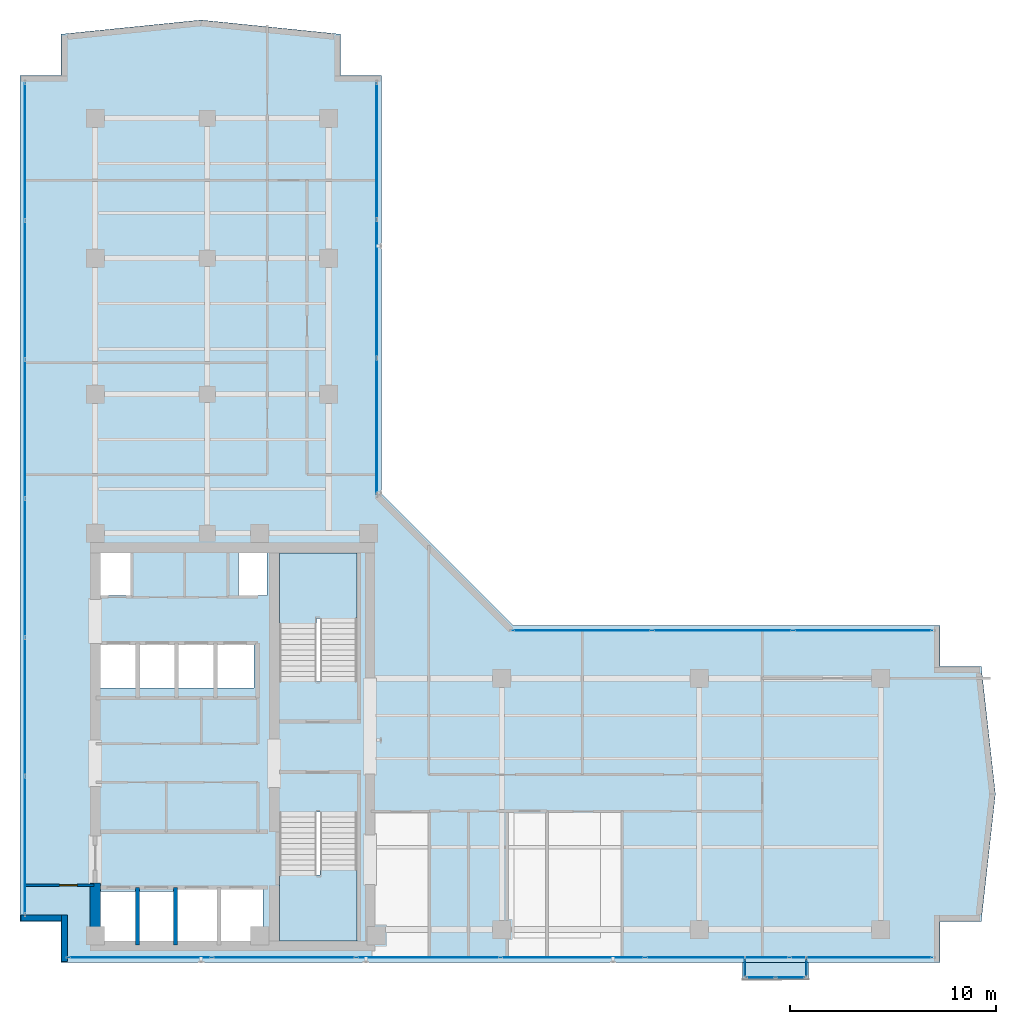
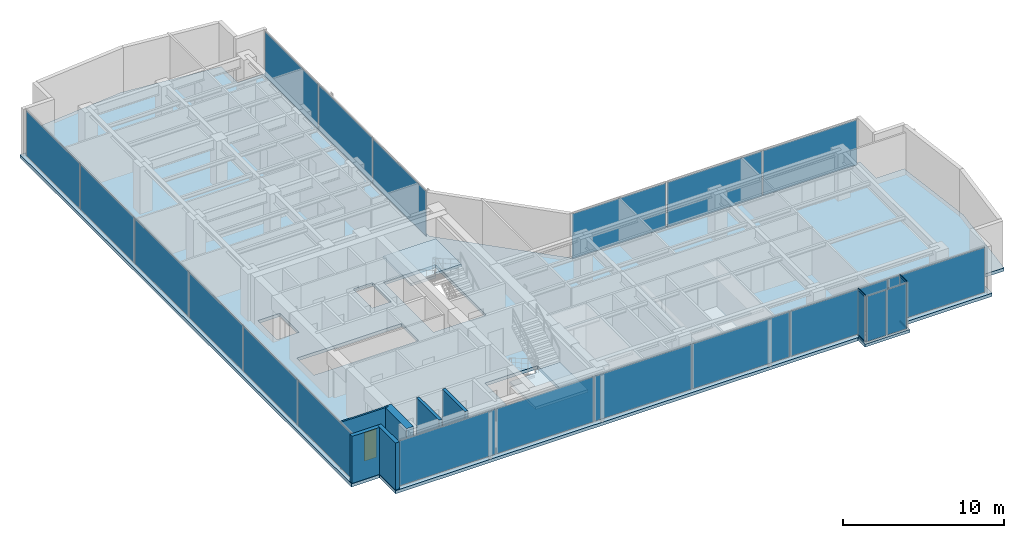
# One storey, part 15 of 22: 22 plates, 6 walls, 4 members, 4 slabs, 1 door, 1 opening, 9 elements without a shape of their own.
"""IFC4 building model written with IfcOpenShell, lengths in metres."""

from ifc_helpers import new_model, si_unit, direction, frame, frame_2d, origin, origin_with_axes, origin_2d, place, context, subcontext, project, spatial, polyline, rectangle, hollow_rectangle, outline, extrude, source, transform, mapped, material, layer, layer_set, material_profile, profile_set, type_object, element, fill, aggregate, save


model = new_model("IFC4")

# Units and contexts
model_context = context("Model", 3, precision=1e-05, world=origin(), true_north=direction((0.0, 1.0)))
body_context = subcontext(model_context, "Body", "Model", "MODEL_VIEW")
ifc_project = project(units=[si_unit("LENGTHUNIT", "METRE"), si_unit("AREAUNIT", "SQUARE_METRE"), si_unit("VOLUMEUNIT", "CUBIC_METRE"), si_unit("PLANEANGLEUNIT", "RADIAN"), si_unit("MASSUNIT", "GRAM", prefix="KILO")], contexts=[model_context])

# Site, building, storey
site_placement = place(None, origin())
site = spatial("IfcSite", under=ifc_project, at=site_placement, CompositionType="ELEMENT")
building_placement = place(site_placement, origin())
building = spatial("IfcBuilding", under=site, at=building_placement, Name="Kolvaren Waterfront Exchange", CompositionType="ELEMENT")
storey_placement = place(building_placement, frame((0.0, 0.0, 274.199951171875)))
storey = spatial("IfcBuildingStorey", under=building, at=storey_placement, Name="L70", CompositionType="ELEMENT", Elevation=274.199951171875)

# Curtain wall, members
ifc_material_1 = material(Name="Anodised bronze aluminium 6063-T6", Category="aluminium")
ifc_layer_1 = layer(ifc_material_1, 0.219970703125, Name="Anodised bronze aluminium 6063-T6")
ifc_layer_set_1 = layer_set([ifc_layer_1], Name="Anodised bronze aluminium 6063-T6")
curtain_wall_type_1 = type_object("IfcCurtainWallType", Name="ARC-CW-SYS3", PredefinedType="USERDEFINED", material=ifc_layer_set_1)
curtain_wall_1_placement = place(storey_placement, origin())
curtain_wall_1 = element("IfcCurtainWall", 1, at=curtain_wall_1_placement, inside=storey, type_object=curtain_wall_type_1, Name="L70 stick curtain wall CW3 (CW-L70-BOX-W)", ObjectType="STICK CURTAIN WALL", PredefinedType="USERDEFINED")
ifc_material_profile = material_profile(ifc_material_1, hollow_rectangle(XDim=0.06494140625, YDim=0.1298828125, WallThickness=0.00390625, at=origin_2d()), Name="ALU-TRN-130x65x4")
ifc_profile_set = profile_set([ifc_material_profile], Name="Anodised bronze aluminium 6063-T6")
member_type = type_object("IfcMemberType", Name="ARC-CWT-130", PredefinedType="USERDEFINED", material=ifc_profile_set)
shared_shape_1 = source(origin_with_axes(), body_context, "Body", "SweptSolid", [
    extrude(hollow_rectangle(XDim=0.06494140625, YDim=0.1298828125, WallThickness=0.00390625, at=origin_2d()), origin(), (0.0, 0.0, 1.0), 0.829833984375),
])
member_1_placement = place(storey_placement, frame((39.010009765625, 3.764892578125, 0.032470703125), z_axis=(0.0, -1.0, 0.0), x_axis=(1.0, 0.0, 0.0)))
member_1 = element("IfcMember", 2, at=member_1_placement, type_object=member_type, Name="CW3 transom 1.1", ObjectType="TRANSOM", PredefinedType="USERDEFINED", context=body_context, shape_type="MappedRepresentation", body=[
    mapped(shared_shape_1, transform((0.0, 0.0, 0.0), x_axis=(1.0, 0.0, 0.0), y_axis=(0.0, 1.0, 0.0), z_axis=(0.0, 0.0, 1.0), scale=1.0)),
])
member_2_placement = place(storey_placement, frame((39.010009765625, 3.764892578125, 3.527587890625), z_axis=(0.0, -1.0, 0.0), x_axis=(1.0, 0.0, 0.0)))
member_2 = element("IfcMember", 3, at=member_2_placement, type_object=member_type, Name="CW3 transom 1.2", ObjectType="TRANSOM", PredefinedType="USERDEFINED", context=body_context, shape_type="MappedRepresentation", body=[
    mapped(shared_shape_1, transform((0.0, 0.0, 0.0), x_axis=(1.0, 0.0, 0.0), y_axis=(0.0, 1.0, 0.0), z_axis=(0.0, 0.0, 1.0), scale=1.0)),
])

curtain_wall_2_placement = place(storey_placement, origin())
curtain_wall_2 = element("IfcCurtainWall", 4, at=curtain_wall_2_placement, inside=storey, type_object=curtain_wall_type_1, Name="L70 stick curtain wall CW3 (CW-L70-BOX-E)", ObjectType="STICK CURTAIN WALL", PredefinedType="USERDEFINED")
member_3_placement = place(storey_placement, frame((41.989990234375, 2.93505859375, 0.032470703125), z_axis=(0.0, 1.0, 0.0), x_axis=(-1.0, 0.0, 0.0)))
member_3 = element("IfcMember", 5, at=member_3_placement, type_object=member_type, Name="CW3 transom 1.1", ObjectType="TRANSOM", PredefinedType="USERDEFINED", context=body_context, shape_type="MappedRepresentation", body=[
    mapped(shared_shape_1, transform((0.0, 0.0, 0.0), x_axis=(1.0, 0.0, 0.0), y_axis=(0.0, 1.0, 0.0), z_axis=(0.0, 0.0, 1.0), scale=1.0)),
])
member_4_placement = place(storey_placement, frame((41.989990234375, 2.93505859375, 3.527587890625), z_axis=(0.0, 1.0, 0.0), x_axis=(-1.0, 0.0, 0.0)))
member_4 = element("IfcMember", 6, at=member_4_placement, type_object=member_type, Name="CW3 transom 1.2", ObjectType="TRANSOM", PredefinedType="USERDEFINED", context=body_context, shape_type="MappedRepresentation", body=[
    mapped(shared_shape_1, transform((0.0, 0.0, 0.0), x_axis=(1.0, 0.0, 0.0), y_axis=(0.0, 1.0, 0.0), z_axis=(0.0, 0.0, 1.0), scale=1.0)),
])

# Stair, slab
ifc_material_2 = material(Name="Concrete C40/50", Category="concrete")
stair_type = type_object("IfcStairType", Name="ARC-STAIR-3800", PredefinedType="HALF_TURN_STAIR", material=ifc_material_2)
stair_1_placement = place(storey_placement, origin())
stair_1 = element("IfcStair", 7, at=stair_1_placement, inside=storey, type_object=stair_type, Name="L70 Smoke-proof exit stair ST1", PredefinedType="HALF_TURN_STAIR")
ifc_layer_2 = layer(ifc_material_2, 0.199951171875, Name="Concrete C40/50")
ifc_layer_set_2 = layer_set([ifc_layer_2], Name="Concrete C40/50")
slab_type_1 = type_object("IfcSlabType", Name="STR-LANDING-200", PredefinedType="LANDING", material=ifc_layer_set_2)
slab_1_placement = place(storey_placement, frame((0.0, 0.0, 1.776123046875)))
slab_1 = element("IfcSlab", 8, at=slab_1_placement, type_object=slab_type_1, Name="ST1 landing 1", PredefinedType="LANDING", context=body_context, shape_type="SweptSolid", body=[
    extrude(outline(polyline([(16.39990234375, 7.840087890625), (16.39990234375, 4.64990234375), (20.159912109375, 4.64990234375), (20.159912109375, 8.10009765625), (18.360107421875, 8.10009765625), (18.360107421875, 7.840087890625), (16.39990234375, 7.840087890625)])), origin(), (0.0, 0.0, 1.0), 0.199951171875),
])
aggregate(stair_1, [slab_1])

stair_2_placement = place(storey_placement, origin())
stair_2 = element("IfcStair", 9, at=stair_2_placement, inside=storey, type_object=stair_type, Name="L70 Smoke-proof exit stair ST2", PredefinedType="HALF_TURN_STAIR")
slab_2_placement = place(storey_placement, frame((0.0, 0.0, 1.776123046875)))
slab_2 = element("IfcSlab", 10, at=slab_2_placement, type_object=slab_type_1, Name="ST2 landing 1", PredefinedType="LANDING", context=body_context, shape_type="SweptSolid", body=[
    extrude(outline(polyline([(20.159912109375, 20.31005859375), (20.159912109375, 23.5), (16.39990234375, 23.5), (16.39990234375, 20.050048828125), (18.199951171875, 20.050048828125), (18.199951171875, 20.31005859375), (20.159912109375, 20.31005859375)])), origin(), (0.0, 0.0, 1.0), 0.199951171875),
])
aggregate(stair_2, [slab_2])

# Slabs
ifc_layer_3 = layer(ifc_material_2, 0.239990234375, Name="Concrete C40/50")
ifc_layer_set_3 = layer_set([ifc_layer_3], Name="Concrete C40/50")
slab_type_2 = type_object("IfcSlabType", Name="STR-SLAB-240", PredefinedType="FLOOR", material=ifc_layer_set_3)
slab_3_placement = place(storey_placement, frame((0.0, 0.0, -0.239990234375)))
element("IfcSlab", 11, at=slab_3_placement, inside=storey, type_object=slab_type_2, Name="L70 structural floor slab", PredefinedType="FLOOR", context=body_context, shape_type="SweptSolid", body=[
    extrude(outline(polyline([(5.800048828125, 3.60009765625), (48.489501953125, 3.60009765625), (48.489501953125, 5.60009765625), (50.489501953125, 5.60009765625), (51.178955078125, 11.7841796875), (50.489501953125, 17.968505859375), (48.489501953125, 17.968505859375), (48.489501953125, 19.968505859375), (27.768310546875, 19.968505859375), (21.368408203125, 26.368408203125), (21.368408203125, 46.689453125), (19.368408203125, 46.689453125), (19.368408203125, 48.689453125), (12.584228515625, 49.37890625), (5.800048828125, 48.689453125), (5.800048828125, 46.689453125), (3.800048828125, 46.689453125), (3.800048828125, 5.60009765625), (5.800048828125, 5.60009765625), (5.800048828125, 3.60009765625)]), holes=[polyline([(11.320068359375, 7.260009765625), (15.610107421875, 7.260009765625), (15.610107421875, 4.5400390625), (7.719970703125, 4.5400390625), (7.719970703125, 7.06005859375), (11.320068359375, 7.06005859375), (11.320068359375, 7.260009765625)]), polyline([(20.159912109375, 10.89990234375), (20.159912109375, 4.64990234375), (16.39990234375, 4.64990234375), (16.39990234375, 10.89990234375), (20.159912109375, 10.89990234375)]), polyline([(7.669921875, 19.06005859375), (15.159912109375, 19.06005859375), (15.159912109375, 16.93994140625), (7.669921875, 16.93994140625), (7.669921875, 19.06005859375)]), polyline([(16.39990234375, 17.25), (16.39990234375, 23.5), (20.159912109375, 23.5), (20.159912109375, 17.25), (16.39990234375, 17.25)]), polyline([(7.60009765625, 23.780029296875), (9.179931640625, 23.780029296875), (9.179931640625, 21.419921875), (7.60009765625, 21.419921875), (7.60009765625, 23.780029296875)]), polyline([(14.419921875, 23.780029296875), (15.800048828125, 23.780029296875), (15.800048828125, 21.419921875), (14.419921875, 21.419921875), (14.419921875, 23.780029296875)])]), origin(), (0.0, 0.0, 1.0), 0.239990234375),
])
ifc_layer_4 = layer(ifc_material_2, 0.219970703125, Name="Concrete C40/50")
ifc_layer_set_4 = layer_set([ifc_layer_4], Name="Concrete C40/50")
slab_type_3 = type_object("IfcSlabType", Name="STR-TERR-220", PredefinedType="FLOOR", material=ifc_layer_set_4)
slab_4_placement = place(storey_placement, frame((0.0, 0.0, -0.219970703125)))
element("IfcSlab", 12, at=slab_4_placement, inside=storey, type_object=slab_type_3, Name="L70 projecting bay-box floor strip", PredefinedType="FLOOR", context=body_context, shape_type="SweptSolid", body=[
    extrude(outline(polyline([(38.89990234375, 2.75), (42.10009765625, 2.75), (42.10009765625, 3.60009765625), (38.89990234375, 3.60009765625), (38.89990234375, 2.75)])), origin(), (0.0, 0.0, 1.0), 0.219970703125),
])

# Plate
ifc_material_3 = material(Name="Bronze tinted bay-box vision glass", Category="aluminium")
ifc_layer_5 = layer(ifc_material_3, 0.02392578125, Name="Bronze tinted bay-box vision glass")
ifc_layer_set_5 = layer_set([ifc_layer_5], Name="Bronze tinted bay-box vision glass")
plate_type_1 = type_object("IfcPlateType", Name="ARC-CWP-24", PredefinedType="CURTAIN_PANEL", material=ifc_layer_set_5)
shared_shape_2 = source(origin_with_axes(), body_context, "Body", "SweptSolid", [
    extrude(rectangle(XDim=0.830078125, YDim=0.02392578125, at=origin_2d()), origin(), (0.0, 0.0, 1.0), 3.429931640625),
])
plate_1_placement = place(storey_placement, frame((39.010009765625, 3.35009765625, 0.06494140625), z_axis=(0.0, 0.0, 1.0), x_axis=(0.0, -1.0, 0.0)))
plate_1 = element("IfcPlate", 13, at=plate_1_placement, type_object=plate_type_1, Name="CW3 panel 1.1", PredefinedType="CURTAIN_PANEL", context=body_context, shape_type="MappedRepresentation", body=[
    mapped(shared_shape_2, transform((0.0, 0.0, 0.0), x_axis=(1.0, 0.0, 0.0), y_axis=(0.0, 1.0, 0.0), z_axis=(0.0, 0.0, 1.0), scale=1.0)),
])

aggregate(curtain_wall_1, [member_1, member_2, plate_1])

plate_2_placement = place(storey_placement, frame((41.989990234375, 3.35009765625, 0.06494140625), z_axis=(0.0, 0.0, 1.0), x_axis=(0.0, 1.0, 0.0)))
plate_2 = element("IfcPlate", 14, at=plate_2_placement, type_object=plate_type_1, Name="CW3 panel 1.1", PredefinedType="CURTAIN_PANEL", context=body_context, shape_type="MappedRepresentation", body=[
    mapped(shared_shape_2, transform((0.0, 0.0, 0.0), x_axis=(1.0, 0.0, 0.0), y_axis=(0.0, 1.0, 0.0), z_axis=(0.0, 0.0, 1.0), scale=1.0)),
])

aggregate(curtain_wall_2, [member_3, member_4, plate_2])

# Curtain wall, plates
curtain_wall_3_placement = place(storey_placement, origin())
curtain_wall_3 = element("IfcCurtainWall", 15, at=curtain_wall_3_placement, inside=storey, type_object=curtain_wall_type_1, Name="L70 stick curtain wall CW3 (CW-L70-BOX)", ObjectType="STICK CURTAIN WALL", PredefinedType="USERDEFINED")
shared_shape_3 = source(origin_with_axes(), body_context, "Body", "SweptSolid", [
    extrude(rectangle(XDim=1.37744140625, YDim=0.02392578125, at=origin_2d()), origin(), (0.0, 0.0, 1.0), 3.429931640625),
])
plate_3_placement = place(storey_placement, frame((39.773681640625, 2.860107421875, 0.06494140625), z_axis=(0.0, 0.0, 1.0), x_axis=(1.0, 0.0, 0.0)))
plate_3 = element("IfcPlate", 16, at=plate_3_placement, type_object=plate_type_1, Name="CW3 panel 1.1", PredefinedType="CURTAIN_PANEL", context=body_context, shape_type="MappedRepresentation", body=[
    mapped(shared_shape_3, transform((0.0, 0.0, 0.0), x_axis=(1.0, 0.0, 0.0), y_axis=(0.0, 1.0, 0.0), z_axis=(0.0, 0.0, 1.0), scale=1.0)),
])
plate_4_placement = place(storey_placement, frame((41.226318359375, 2.860107421875, 0.06494140625), z_axis=(0.0, 0.0, 1.0), x_axis=(1.0, 0.0, 0.0)))
plate_4 = element("IfcPlate", 17, at=plate_4_placement, type_object=plate_type_1, Name="CW3 panel 2.1", PredefinedType="CURTAIN_PANEL", context=body_context, shape_type="MappedRepresentation", body=[
    mapped(shared_shape_3, transform((0.0, 0.0, 0.0), x_axis=(1.0, 0.0, 0.0), y_axis=(0.0, 1.0, 0.0), z_axis=(0.0, 0.0, 1.0), scale=1.0)),
])
aggregate(curtain_wall_3, [plate_3, plate_4])

ifc_layer_6 = layer(ifc_material_1, 0.219970703125, Name="Anodised bronze aluminium 6063-T6")
ifc_layer_set_6 = layer_set([ifc_layer_6], Name="Anodised bronze aluminium 6063-T6")
curtain_wall_type_2 = type_object("IfcCurtainWallType", Name="ARC-CW-SYS1", PredefinedType="USERDEFINED", material=ifc_layer_set_6)
curtain_wall_4_placement = place(storey_placement, origin())
curtain_wall_4 = element("IfcCurtainWall", 18, at=curtain_wall_4_placement, inside=storey, type_object=curtain_wall_type_2, Name="L70 stick curtain wall CW1 (CW-L70-S)", ObjectType="STICK CURTAIN WALL", PredefinedType="USERDEFINED")
ifc_material_4 = material(Name="Bronze solar control vision glass", Category="aluminium")
ifc_layer_7 = layer(ifc_material_4, 0.028076171875, Name="Bronze solar control vision glass")
ifc_layer_set_7 = layer_set([ifc_layer_7], Name="Bronze solar control vision glass")
plate_type_2 = type_object("IfcPlateType", Name="ARC-CWP-28", PredefinedType="CURTAIN_PANEL", material=ifc_layer_set_7)
shared_shape_4 = source(origin_with_axes(), body_context, "Body", "SweptSolid", [
    extrude(rectangle(XDim=6.89501953125, YDim=0.028076171875, at=origin_2d()), origin(), (0.0, 0.0, 1.0), 3.409912109375),
])
plate_5_placement = place(storey_placement, frame((9.62744140625, 3.840087890625, 0.0751953125), z_axis=(0.0, 0.0, 1.0), x_axis=(1.0, 0.0, 0.0)))
plate_5 = element("IfcPlate", 19, at=plate_5_placement, type_object=plate_type_2, Name="CW1 panel 1.1", PredefinedType="CURTAIN_PANEL", context=body_context, shape_type="MappedRepresentation", body=[
    mapped(shared_shape_4, transform((0.0, 0.0, 0.0), x_axis=(1.0, 0.0, 0.0), y_axis=(0.0, 1.0, 0.0), z_axis=(0.0, 0.0, 1.0), scale=1.0)),
])
plate_6_placement = place(storey_placement, frame((44.662109375, 3.840087890625, 0.0751953125), z_axis=(0.0, 0.0, 1.0), x_axis=(1.0, 0.0, 0.0)))
plate_6 = element("IfcPlate", 20, at=plate_6_placement, type_object=plate_type_2, Name="CW1 panel 6.1", PredefinedType="CURTAIN_PANEL", context=body_context, shape_type="MappedRepresentation", body=[
    mapped(shared_shape_4, transform((0.0, 0.0, 0.0), x_axis=(1.0, 0.0, 0.0), y_axis=(0.0, 1.0, 0.0), z_axis=(0.0, 0.0, 1.0), scale=1.0)),
])
shared_shape_5 = source(origin_with_axes(), body_context, "Body", "SweptSolid", [
    extrude(rectangle(XDim=6.934814453125, YDim=0.028076171875, at=origin_2d()), origin(), (0.0, 0.0, 1.0), 3.409912109375),
])
plate_7_placement = place(storey_placement, frame((16.622314453125, 3.840087890625, 0.0751953125), z_axis=(0.0, 0.0, 1.0), x_axis=(1.0, 0.0, 0.0)))
plate_7 = element("IfcPlate", 21, at=plate_7_placement, type_object=plate_type_2, Name="CW1 panel 2.1", PredefinedType="CURTAIN_PANEL", context=body_context, shape_type="MappedRepresentation", body=[
    mapped(shared_shape_5, transform((0.0, 0.0, 0.0), x_axis=(1.0, 0.0, 0.0), y_axis=(0.0, 1.0, 0.0), z_axis=(0.0, 0.0, 1.0), scale=1.0)),
])
plate_8_placement = place(storey_placement, frame((23.63720703125, 3.840087890625, 0.0751953125), z_axis=(0.0, 0.0, 1.0), x_axis=(1.0, 0.0, 0.0)))
plate_8 = element("IfcPlate", 22, at=plate_8_placement, type_object=plate_type_2, Name="CW1 panel 3.1", PredefinedType="CURTAIN_PANEL", context=body_context, shape_type="MappedRepresentation", body=[
    mapped(shared_shape_5, transform((0.0, 0.0, 0.0), x_axis=(1.0, 0.0, 0.0), y_axis=(0.0, 1.0, 0.0), z_axis=(0.0, 0.0, 1.0), scale=1.0)),
])
plate_9_placement = place(storey_placement, frame((30.652099609375, 3.840087890625, 0.0751953125), z_axis=(0.0, 0.0, 1.0), x_axis=(1.0, 0.0, 0.0)))
plate_9 = element("IfcPlate", 23, at=plate_9_placement, type_object=plate_type_2, Name="CW1 panel 4.1", PredefinedType="CURTAIN_PANEL", context=body_context, shape_type="MappedRepresentation", body=[
    mapped(shared_shape_5, transform((0.0, 0.0, 0.0), x_axis=(1.0, 0.0, 0.0), y_axis=(0.0, 1.0, 0.0), z_axis=(0.0, 0.0, 1.0), scale=1.0)),
])
plate_10_placement = place(storey_placement, frame((37.667236328125, 3.840087890625, 0.0751953125), z_axis=(0.0, 0.0, 1.0), x_axis=(1.0, 0.0, 0.0)))
plate_10 = element("IfcPlate", 24, at=plate_10_placement, type_object=plate_type_2, Name="CW1 panel 5.1", PredefinedType="CURTAIN_PANEL", context=body_context, shape_type="MappedRepresentation", body=[
    mapped(shared_shape_5, transform((0.0, 0.0, 0.0), x_axis=(1.0, 0.0, 0.0), y_axis=(0.0, 1.0, 0.0), z_axis=(0.0, 0.0, 1.0), scale=1.0)),
])
aggregate(curtain_wall_4, [plate_5, plate_7, plate_8, plate_9, plate_10, plate_6])

ifc_material_5 = material(Name="Anodised aluminium 6063-T6", Category="aluminium")
ifc_layer_8 = layer(ifc_material_5, 0.219970703125, Name="Anodised aluminium 6063-T6")
ifc_layer_set_8 = layer_set([ifc_layer_8], Name="Anodised aluminium 6063-T6")
curtain_wall_type_3 = type_object("IfcCurtainWallType", Name="ARC-CW-SYS2", PredefinedType="USERDEFINED", material=ifc_layer_set_8)
curtain_wall_5_placement = place(storey_placement, origin())
curtain_wall_5 = element("IfcCurtainWall", 25, at=curtain_wall_5_placement, inside=storey, type_object=curtain_wall_type_3, Name="L70 stick curtain wall CW2 (CW-L70-W)", ObjectType="STICK CURTAIN WALL", PredefinedType="USERDEFINED")
ifc_material_6 = material(Name="Acoustic laminated vision glass", Category="glass")
ifc_layer_9 = layer(ifc_material_6, 0.031982421875, Name="Acoustic laminated vision glass")
ifc_layer_set_9 = layer_set([ifc_layer_9], Name="Acoustic laminated vision glass")
plate_type_3 = type_object("IfcPlateType", Name="ARC-CWP-32", PredefinedType="CURTAIN_PANEL", material=ifc_layer_set_9)
shared_shape_6 = source(origin_with_axes(), body_context, "Body", "SweptSolid", [
    extrude(rectangle(XDim=6.628173828125, YDim=0.031982421875, at=origin_2d()), origin(), (0.0, 0.0, 1.0), 3.409912109375),
])
plate_11_placement = place(storey_placement, frame((4.0400390625, 9.294189453125, 0.0751953125), z_axis=(0.0, 0.0, 1.0), x_axis=(0.0, 1.0, 0.0)))
plate_11 = element("IfcPlate", 26, at=plate_11_placement, type_object=plate_type_3, Name="CW2 panel 1.1", PredefinedType="CURTAIN_PANEL", context=body_context, shape_type="MappedRepresentation", body=[
    mapped(shared_shape_6, transform((0.0, 0.0, 0.0), x_axis=(1.0, 0.0, 0.0), y_axis=(0.0, 1.0, 0.0), z_axis=(0.0, 0.0, 1.0), scale=1.0)),
])
plate_12_placement = place(storey_placement, frame((4.0400390625, 42.995361328125, 0.0751953125), z_axis=(0.0, 0.0, 1.0), x_axis=(0.0, 1.0, 0.0)))
plate_12 = element("IfcPlate", 27, at=plate_12_placement, type_object=plate_type_3, Name="CW2 panel 6.1", PredefinedType="CURTAIN_PANEL", context=body_context, shape_type="MappedRepresentation", body=[
    mapped(shared_shape_6, transform((0.0, 0.0, 0.0), x_axis=(1.0, 0.0, 0.0), y_axis=(0.0, 1.0, 0.0), z_axis=(0.0, 0.0, 1.0), scale=1.0)),
])
shared_shape_7 = source(origin_with_axes(), body_context, "Body", "SweptSolid", [
    extrude(rectangle(XDim=6.668212890625, YDim=0.031982421875, at=origin_2d()), origin(), (0.0, 0.0, 1.0), 3.409912109375),
])
plate_13_placement = place(storey_placement, frame((4.0400390625, 16.0224609375, 0.0751953125), z_axis=(0.0, 0.0, 1.0), x_axis=(0.0, 1.0, 0.0)))
plate_13 = element("IfcPlate", 28, at=plate_13_placement, type_object=plate_type_3, Name="CW2 panel 2.1", PredefinedType="CURTAIN_PANEL", context=body_context, shape_type="MappedRepresentation", body=[
    mapped(shared_shape_7, transform((0.0, 0.0, 0.0), x_axis=(1.0, 0.0, 0.0), y_axis=(0.0, 1.0, 0.0), z_axis=(0.0, 0.0, 1.0), scale=1.0)),
])
plate_14_placement = place(storey_placement, frame((4.0400390625, 22.7705078125, 0.0751953125), z_axis=(0.0, 0.0, 1.0), x_axis=(0.0, 1.0, 0.0)))
plate_14 = element("IfcPlate", 29, at=plate_14_placement, type_object=plate_type_3, Name="CW2 panel 3.1", PredefinedType="CURTAIN_PANEL", context=body_context, shape_type="MappedRepresentation", body=[
    mapped(shared_shape_7, transform((0.0, 0.0, 0.0), x_axis=(1.0, 0.0, 0.0), y_axis=(0.0, 1.0, 0.0), z_axis=(0.0, 0.0, 1.0), scale=1.0)),
])
plate_15_placement = place(storey_placement, frame((4.0400390625, 29.518798828125, 0.0751953125), z_axis=(0.0, 0.0, 1.0), x_axis=(0.0, 1.0, 0.0)))
plate_15 = element("IfcPlate", 30, at=plate_15_placement, type_object=plate_type_3, Name="CW2 panel 4.1", PredefinedType="CURTAIN_PANEL", context=body_context, shape_type="MappedRepresentation", body=[
    mapped(shared_shape_7, transform((0.0, 0.0, 0.0), x_axis=(1.0, 0.0, 0.0), y_axis=(0.0, 1.0, 0.0), z_axis=(0.0, 0.0, 1.0), scale=1.0)),
])
plate_16_placement = place(storey_placement, frame((4.0400390625, 36.26708984375, 0.0751953125), z_axis=(0.0, 0.0, 1.0), x_axis=(0.0, 1.0, 0.0)))
plate_16 = element("IfcPlate", 31, at=plate_16_placement, type_object=plate_type_3, Name="CW2 panel 5.1", PredefinedType="CURTAIN_PANEL", context=body_context, shape_type="MappedRepresentation", body=[
    mapped(shared_shape_7, transform((0.0, 0.0, 0.0), x_axis=(1.0, 0.0, 0.0), y_axis=(0.0, 1.0, 0.0), z_axis=(0.0, 0.0, 1.0), scale=1.0)),
])
aggregate(curtain_wall_5, [plate_11, plate_13, plate_14, plate_15, plate_16, plate_12])

curtain_wall_6_placement = place(storey_placement, origin())
curtain_wall_6 = element("IfcCurtainWall", 32, at=curtain_wall_6_placement, inside=storey, type_object=curtain_wall_type_2, Name="L70 stick curtain wall CW1 (CW-L70-NE)", ObjectType="STICK CURTAIN WALL", PredefinedType="USERDEFINED")
shared_shape_8 = source(origin_with_axes(), body_context, "Body", "SweptSolid", [
    extrude(rectangle(XDim=6.59033203125, YDim=0.028076171875, at=origin_2d()), origin(), (0.0, 0.0, 1.0), 3.409912109375),
])
plate_17_placement = place(storey_placement, frame((21.12841796875, 29.633544921875, 0.0751953125), z_axis=(0.0, 0.0, 1.0), x_axis=(0.0, 1.0, 0.0)))
plate_17 = element("IfcPlate", 33, at=plate_17_placement, type_object=plate_type_2, Name="CW1 panel 1.1", PredefinedType="CURTAIN_PANEL", context=body_context, shape_type="MappedRepresentation", body=[
    mapped(shared_shape_8, transform((0.0, 0.0, 0.0), x_axis=(1.0, 0.0, 0.0), y_axis=(0.0, 1.0, 0.0), z_axis=(0.0, 0.0, 1.0), scale=1.0)),
])
plate_18_placement = place(storey_placement, frame((21.12841796875, 43.014404296875, 0.0751953125), z_axis=(0.0, 0.0, 1.0), x_axis=(0.0, 1.0, 0.0)))
plate_18 = element("IfcPlate", 34, at=plate_18_placement, type_object=plate_type_2, Name="CW1 panel 3.1", PredefinedType="CURTAIN_PANEL", context=body_context, shape_type="MappedRepresentation", body=[
    mapped(shared_shape_8, transform((0.0, 0.0, 0.0), x_axis=(1.0, 0.0, 0.0), y_axis=(0.0, 1.0, 0.0), z_axis=(0.0, 0.0, 1.0), scale=1.0)),
])
shared_shape_9 = source(origin_with_axes(), body_context, "Body", "SweptSolid", [
    extrude(rectangle(XDim=6.63037109375, YDim=0.028076171875, at=origin_2d()), origin(), (0.0, 0.0, 1.0), 3.409912109375),
])
plate_19_placement = place(storey_placement, frame((21.12841796875, 36.323974609375, 0.0751953125), z_axis=(0.0, 0.0, 1.0), x_axis=(0.0, 1.0, 0.0)))
plate_19 = element("IfcPlate", 35, at=plate_19_placement, type_object=plate_type_2, Name="CW1 panel 2.1", PredefinedType="CURTAIN_PANEL", context=body_context, shape_type="MappedRepresentation", body=[
    mapped(shared_shape_9, transform((0.0, 0.0, 0.0), x_axis=(1.0, 0.0, 0.0), y_axis=(0.0, 1.0, 0.0), z_axis=(0.0, 0.0, 1.0), scale=1.0)),
])
aggregate(curtain_wall_6, [plate_17, plate_19, plate_18])

curtain_wall_7_placement = place(storey_placement, origin())
curtain_wall_7 = element("IfcCurtainWall", 36, at=curtain_wall_7_placement, inside=storey, type_object=curtain_wall_type_2, Name="L70 stick curtain wall CW1 (CW-L70-EN)", ObjectType="STICK CURTAIN WALL", PredefinedType="USERDEFINED")
shared_shape_10 = source(origin_with_axes(), body_context, "Body", "SweptSolid", [
    extrude(rectangle(XDim=6.7236328125, YDim=0.028076171875, at=origin_2d()), origin(), (0.0, 0.0, 1.0), 3.409912109375),
])
plate_20_placement = place(storey_placement, frame((31.100341796875, 19.728515625, 0.0751953125), z_axis=(0.0, 0.0, 1.0), x_axis=(1.0, 0.0, 0.0)))
plate_20 = element("IfcPlate", 37, at=plate_20_placement, type_object=plate_type_2, Name="CW1 panel 1.1", PredefinedType="CURTAIN_PANEL", context=body_context, shape_type="MappedRepresentation", body=[
    mapped(shared_shape_10, transform((0.0, 0.0, 0.0), x_axis=(1.0, 0.0, 0.0), y_axis=(0.0, 1.0, 0.0), z_axis=(0.0, 0.0, 1.0), scale=1.0)),
])
plate_21_placement = place(storey_placement, frame((44.74755859375, 19.728515625, 0.0751953125), z_axis=(0.0, 0.0, 1.0), x_axis=(1.0, 0.0, 0.0)))
plate_21 = element("IfcPlate", 38, at=plate_21_placement, type_object=plate_type_2, Name="CW1 panel 3.1", PredefinedType="CURTAIN_PANEL", context=body_context, shape_type="MappedRepresentation", body=[
    mapped(shared_shape_10, transform((0.0, 0.0, 0.0), x_axis=(1.0, 0.0, 0.0), y_axis=(0.0, 1.0, 0.0), z_axis=(0.0, 0.0, 1.0), scale=1.0)),
])
shared_shape_11 = source(origin_with_axes(), body_context, "Body", "SweptSolid", [
    extrude(rectangle(XDim=6.763671875, YDim=0.028076171875, at=origin_2d()), origin(), (0.0, 0.0, 1.0), 3.409912109375),
])
plate_22_placement = place(storey_placement, frame((37.923828125, 19.728515625, 0.0751953125), z_axis=(0.0, 0.0, 1.0), x_axis=(1.0, 0.0, 0.0)))
plate_22 = element("IfcPlate", 39, at=plate_22_placement, type_object=plate_type_2, Name="CW1 panel 2.1", PredefinedType="CURTAIN_PANEL", context=body_context, shape_type="MappedRepresentation", body=[
    mapped(shared_shape_11, transform((0.0, 0.0, 0.0), x_axis=(1.0, 0.0, 0.0), y_axis=(0.0, 1.0, 0.0), z_axis=(0.0, 0.0, 1.0), scale=1.0)),
])
aggregate(curtain_wall_7, [plate_20, plate_22, plate_21])

# Walls
ifc_material_7 = material(Name="Precast concrete C40/50", Category="concrete")
ifc_layer_10 = layer(ifc_material_7, 0.280029296875, Name="Precast concrete C40/50")
ifc_layer_set_10 = layer_set([ifc_layer_10], Name="Precast concrete C40/50")
wall_type_1 = type_object("IfcWallType", Name="ARC-EXT-TERR-280", PredefinedType="SOLIDWALL", material=ifc_layer_set_10)
wall_1_placement = place(storey_placement, frame((5.9599609375, 3.659912109375, 0.0), z_axis=(0.0, 0.0, 1.0), x_axis=(0.0, 1.0, 0.0)))
element("IfcWall", 40, at=wall_1_placement, inside=storey, type_object=wall_type_1, Name="L70 notched corner spandrel pier SW-A", PredefinedType="SOLIDWALL", context=body_context, shape_type="SweptSolid", body=[
    extrude(rectangle(XDim=2.239990234375, YDim=0.280029296875, at=frame_2d((1.1201171875, 0.0))), origin(), (0.0, 0.0, 1.0), 3.56005859375),
])
wall_2_placement = place(storey_placement, frame((3.860107421875, 5.760009765625, 0.0), z_axis=(0.0, 0.0, 1.0), x_axis=(1.0, 0.0, 0.0)))
element("IfcWall", 41, at=wall_2_placement, inside=storey, type_object=wall_type_1, Name="L70 notched corner spandrel pier SW-B", PredefinedType="SOLIDWALL", context=body_context, shape_type="SweptSolid", body=[
    extrude(rectangle(XDim=1.9599609375, YDim=0.280029296875, at=frame_2d((0.97998046875, 0.0))), origin(), (0.0, 0.0, 1.0), 3.56005859375),
])

# Wall, opening, door
ifc_material_8 = material(Name="Acoustic gypsum steel stud", Category="steel")
ifc_layer_11 = layer(ifc_material_8, 0.125, Name="Acoustic gypsum steel stud")
ifc_layer_set_11 = layer_set([ifc_layer_11], Name="Acoustic gypsum steel stud")
wall_type_2 = type_object("IfcWallType", Name="ARC-PART-125", PredefinedType="PARTITIONING", material=ifc_layer_set_11)
wall_3_placement = place(storey_placement, frame((4.0400390625, 7.35009765625, 0.0), z_axis=(0.0, 0.0, 1.0), x_axis=(1.0, 0.0, 0.0)))
wall_3 = element("IfcWall", 42, at=wall_3_placement, inside=storey, type_object=wall_type_2, Name="L70 interior wall PW-L70-SWC-N", PredefinedType="PARTITIONING", context=body_context, shape_type="SweptSolid", body=[
    extrude(rectangle(XDim=3.35986328125, YDim=0.125, at=frame_2d((1.679931640625, 0.0))), origin(), (0.0, 0.0, 1.0), 3.56005859375),
])
opening_placement = place(wall_3_placement, frame((1.686767578125, 0.0, 0.0)))
opening = element("IfcOpeningElement", 43, at=opening_placement, cuts=wall_3, Name="Opening D01", PredefinedType="OPENING", context=body_context, shape_type="SweptSolid", body=[
    extrude(rectangle(XDim=0.85009765625, YDim=2.14990234375, at=frame_2d((0.425048828125, 1.074951171875))), frame((0.0, 0.072509765625, 0.0), z_axis=(0.0, -1.0, 0.0), x_axis=(1.0, 0.0, 0.0)), (0.0, 0.0, 1.0), 0.14501953125),
])
ifc_material_9 = material(Name="Oak veneer timber leaf", Category="wood")
door_type = type_object("IfcDoorType", Name="ARC-DR-900", OperationType="NOTDEFINED", PredefinedType="DOOR", material=ifc_material_9)
door_placement = place(opening_placement, origin())
door = element("IfcDoor", 44, at=door_placement, inside=storey, type_object=door_type, Name="L70 door DR-L70-SWC-D (D01)", OperationType="SINGLE_SWING_RIGHT", OverallHeight=2.14990234375, OverallWidth=0.85009765625, PredefinedType="DOOR", context=body_context, shape_type="SweptSolid", body=[
    extrude(rectangle(XDim=0.85009765625, YDim=2.14990234375, at=frame_2d((0.425048828125, 1.074951171875))), frame((0.0, 0.02490234375, 0.0), z_axis=(0.0, -1.0, 0.0), x_axis=(1.0, 0.0, 0.0)), (0.0, 0.0, 1.0), 0.050048828125),
])
fill(opening, door)

# Walls
ifc_layer_12 = layer(ifc_material_2, 0.199951171875, Name="Concrete C40/50")
ifc_layer_set_12 = layer_set([ifc_layer_12], Name="Concrete C40/50")
wall_type_3 = type_object("IfcWallType", Name="ARC-SHAFT-200", PredefinedType="PARTITIONING", material=ifc_layer_set_12)
for number, where, z_axis, x_axis, name in (
    (45, (9.5, 4.449951171875, 0.0), (0.0, 0.0, 1.0), (0.0, 1.0, 0.0), "L70 interior wall PW-L70-SH1-DIV-95"),
    (46, (11.360107421875, 4.449951171875, 0.0), (0.0, 0.0, 1.0), (0.0, 1.0, 0.0), "L70 interior wall PW-L70-SH1-DIV-113"),
):
    element("IfcWall", number, at=place(storey_placement, frame(where, z_axis=z_axis, x_axis=x_axis)), inside=storey, type_object=wall_type_3, Name=name, PredefinedType="PARTITIONING", context=body_context, shape_type="SweptSolid", body=[
        extrude(rectangle(XDim=2.800048828125, YDim=0.199951171875, at=frame_2d((1.39990234375, 0.0))), origin(), (0.0, 0.0, 1.0), 3.56005859375),
    ])
ifc_material_10 = material(Name="Concrete C50/60", Category="concrete")
ifc_layer_13 = layer(ifc_material_10, 0.5, Name="Concrete C50/60")
ifc_layer_set_13 = layer_set([ifc_layer_13], Name="Concrete C50/60")
wall_type_4 = type_object("IfcWallType", Name="STR-CWALL-500", PredefinedType="SHEAR", material=ifc_layer_set_13)
wall_4_placement = place(storey_placement, frame((7.449951171875, 4.64990234375, 0.0), z_axis=(0.0, 0.0, 1.0), x_axis=(0.0, 1.0, 0.0)))
element("IfcWall", 47, at=wall_4_placement, inside=storey, type_object=wall_type_4, Name="L70 rear-core shear wall W1", PredefinedType="SHEAR", context=body_context, shape_type="SweptSolid", body=[
    extrude(rectangle(XDim=2.800048828125, YDim=0.5, at=frame_2d((1.39990234375, 0.0))), origin(), (0.0, 0.0, 1.0), 3.56005859375),
])

save(model, "model.ifc")
